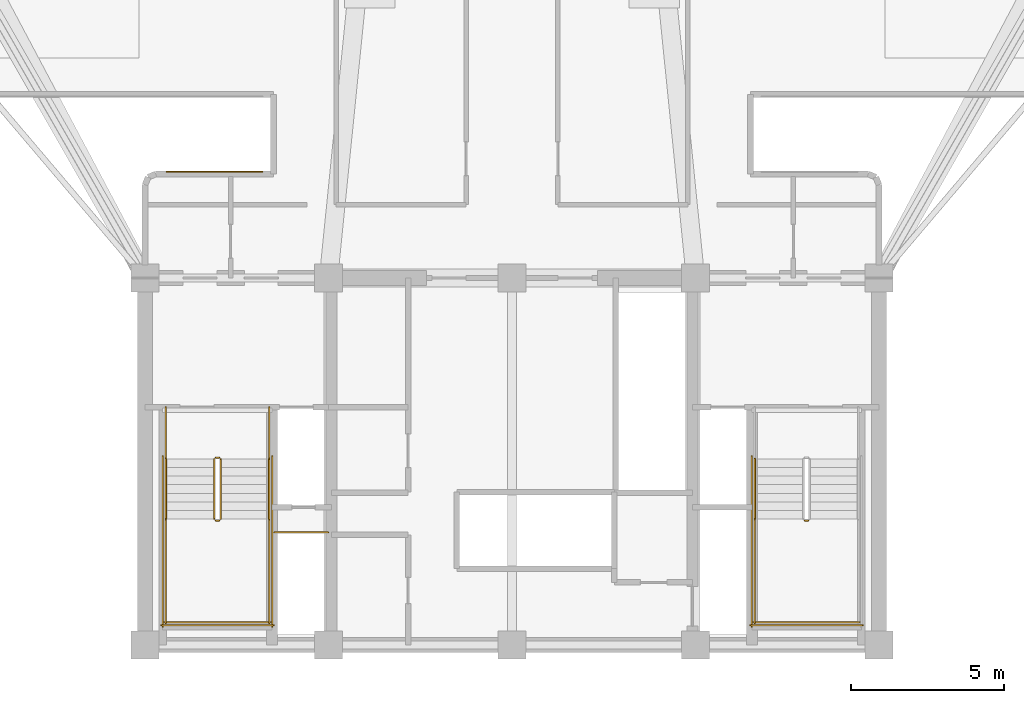
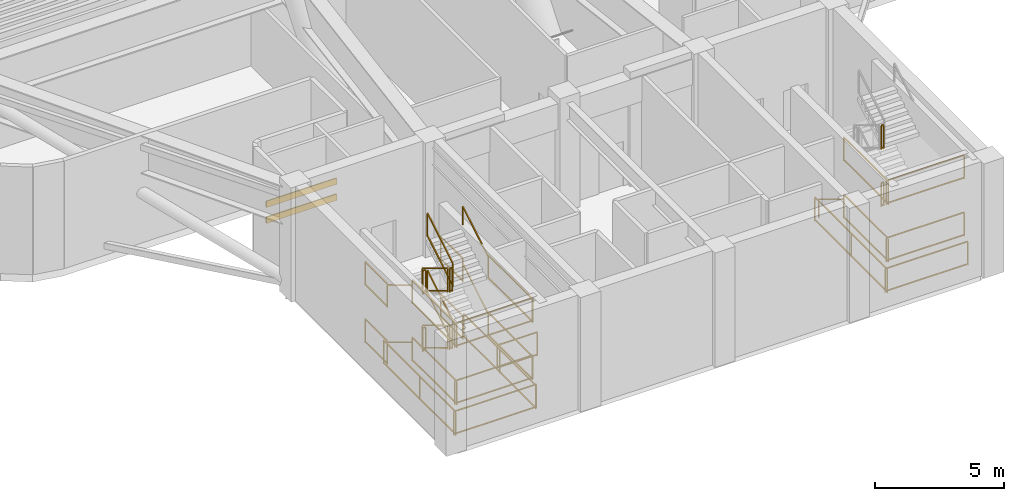
# One storey, part 8 of 10: 35 railings, 2 shading devices.
"""IFC4 building model written with IfcOpenShell, lengths in metres."""

from ifc_helpers import new_model, si_unit, direction, frame, origin, origin_2d, place, context, subcontext, project, spatial, rectangle, extrude, source, transform, mapped, material, layer, layer_set, material_profile, profile_set, type_object, element, save


model = new_model("IFC4")

# Units and contexts
model_context = context("Model", 3, precision=1e-05, world=origin(), true_north=direction((0.0, 1.0)))
body_context = subcontext(model_context, "Body", "Model", "MODEL_VIEW")
ifc_project = project(units=[si_unit("LENGTHUNIT", "METRE"), si_unit("AREAUNIT", "SQUARE_METRE"), si_unit("VOLUMEUNIT", "CUBIC_METRE"), si_unit("PLANEANGLEUNIT", "RADIAN"), si_unit("MASSUNIT", "GRAM", prefix="KILO")], contexts=[model_context])

# Site, building, storey
site_placement = place(None, origin())
site = spatial("IfcSite", under=ifc_project, at=site_placement, CompositionType="ELEMENT")
building_placement = place(site_placement, origin())
building = spatial("IfcBuilding", under=site, at=building_placement, Name="Brelvock Crest Care Tower", CompositionType="ELEMENT")
storey_placement = place(building_placement, frame((0.0, 0.0, 146.52001953125)))
storey = spatial("IfcBuildingStorey", under=building, at=storey_placement, Name="L37", CompositionType="ELEMENT", Elevation=146.52001953125)

# Railings
ifc_material_1 = material(Name="Steel Grade 350", Category="steel")
ifc_layer_1 = layer(ifc_material_1, 0.050048828125, Name="RL-STG1")
ifc_layer_set_1 = layer_set([ifc_layer_1], Name="Steel Grade 350")
railing_type_1 = type_object("IfcRailingType", Name="RL-STG1", PredefinedType="GUARDRAIL", material=ifc_layer_set_1)
railing_1_placement = place(storey_placement, frame((26.260009765625, 12.080078125, 0.168701171875)))
element("IfcRailing", 1, at=railing_1_placement, inside=storey, type_object=railing_type_1, Name="L37 ST-1 stair guard 1", PredefinedType="GUARDRAIL", context=body_context, shape_type="SweptSolid", body=[
    extrude(rectangle(XDim=0.048095703125, YDim=0.048095703125, at=origin_2d()), frame((0.0, -0.001708984375, 1.116943359375), z_axis=(0.0, -0.856446297458, 0.516236127728), x_axis=(1.0, 0.0, 0.0)), (0.0, 0.0, 1.0), 2.284423828125),
    extrude(rectangle(XDim=0.048095703125, YDim=0.048095703125, at=origin_2d()), frame((0.0, -0.001708984375, 0.05615234375), z_axis=(0.0, -0.856446297458, 0.516236127728), x_axis=(1.0, 0.0, 0.0)), (0.0, 0.0, 1.0), 2.284423828125),
    extrude(rectangle(XDim=0.0419921875, YDim=0.0419921875, at=origin_2d()), origin(), (0.0, 0.0, 1.0), 1.08984375),
    extrude(rectangle(XDim=0.0419921875, YDim=0.0419921875, at=origin_2d()), frame((0.0, -1.9599609375, 1.181396484375)), (0.0, 0.0, 1.0), 1.08984375),
])
railing_2_placement = place(storey_placement, frame((26.31005859375, 10.070068359375, 1.35009765625)))
element("IfcRailing", 2, at=railing_2_placement, inside=storey, type_object=railing_type_1, Name="L37 ST-1 stair guard 2", PredefinedType="GUARDRAIL", context=body_context, shape_type="SweptSolid", body=[
    extrude(rectangle(XDim=0.048095703125, YDim=0.048095703125, at=origin_2d()), frame((0.001953125, 0.0, 1.11572265625), z_axis=(1.0, 0.0, 0.0), x_axis=(0.0, 1.0, 0.0)), (0.0, 0.0, 1.0), 0.115966796875),
    extrude(rectangle(XDim=0.048095703125, YDim=0.048095703125, at=origin_2d()), frame((0.001953125, 0.0, 0.054931640625), z_axis=(1.0, 0.0, 0.0), x_axis=(0.0, 1.0, 0.0)), (0.0, 0.0, 1.0), 0.115966796875),
    extrude(rectangle(XDim=0.0419921875, YDim=0.0419921875, at=origin_2d()), origin(), (0.0, 0.0, 1.0), 1.08984375),
    extrude(rectangle(XDim=0.0419921875, YDim=0.0419921875, at=origin_2d()), frame((0.119873046875, 0.0, 0.0)), (0.0, 0.0, 1.0), 1.08984375),
])
for number, where, name in (
    (3, (24.679931640625, 10.1201171875, 1.35009765625), "L37 ST-1 stair guard 3"),
    (4, (28.06005859375, 10.1201171875, 1.35009765625), "L37 ST-1 stair guard 4"),
):
    element("IfcRailing", number, at=place(storey_placement, frame(where)), inside=storey, type_object=railing_type_1, Name=name, PredefinedType="GUARDRAIL", context=body_context, shape_type="SweptSolid", body=[
        extrude(rectangle(XDim=0.048095703125, YDim=0.048095703125, at=origin_2d()), frame((0.0, -0.001953125, 1.11572265625), z_axis=(0.0, -1.0, 0.0), x_axis=(1.0, 0.0, 0.0)), (0.0, 0.0, 1.0), 3.416259765625),
        extrude(rectangle(XDim=0.048095703125, YDim=0.048095703125, at=origin_2d()), frame((0.0, -0.001953125, 0.054931640625), z_axis=(0.0, -1.0, 0.0), x_axis=(1.0, 0.0, 0.0)), (0.0, 0.0, 1.0), 3.416259765625),
        extrude(rectangle(XDim=0.0419921875, YDim=0.0419921875, at=origin_2d()), origin(), (0.0, 0.0, 1.0), 1.08984375),
        extrude(rectangle(XDim=0.0419921875, YDim=0.0419921875, at=origin_2d()), frame((0.0, -3.420166015625, 0.0)), (0.0, 0.0, 1.0), 1.08984375),
    ])
railing_3_placement = place(storey_placement, frame((24.6298828125, 6.75, 1.35009765625)))
element("IfcRailing", 5, at=railing_3_placement, inside=storey, type_object=railing_type_1, Name="L37 ST-1 stair guard 5", PredefinedType="GUARDRAIL", context=body_context, shape_type="SweptSolid", body=[
    extrude(rectangle(XDim=0.048095703125, YDim=0.048095703125, at=origin_2d()), frame((0.001953125, 0.0, 1.11572265625), z_axis=(1.0, 0.0, 0.0), x_axis=(0.0, 1.0, 0.0)), (0.0, 0.0, 1.0), 3.476318359375),
    extrude(rectangle(XDim=0.048095703125, YDim=0.048095703125, at=origin_2d()), frame((0.001953125, 0.0, 0.054931640625), z_axis=(1.0, 0.0, 0.0), x_axis=(0.0, 1.0, 0.0)), (0.0, 0.0, 1.0), 3.476318359375),
    extrude(rectangle(XDim=0.0419921875, YDim=0.0419921875, at=origin_2d()), origin(), (0.0, 0.0, 1.0), 1.08984375),
    extrude(rectangle(XDim=0.0419921875, YDim=0.0419921875, at=origin_2d()), frame((3.480224609375, 0.0, 0.0)), (0.0, 0.0, 1.0), 1.08984375),
])
railing_4_placement = place(storey_placement, frame((26.47998046875, 10.1201171875, 1.518798828125)))
element("IfcRailing", 6, at=railing_4_placement, inside=storey, type_object=railing_type_1, Name="L37 ST-1 stair guard 6", PredefinedType="GUARDRAIL", context=body_context, shape_type="SweptSolid", body=[
    extrude(rectangle(XDim=0.048095703125, YDim=0.048095703125, at=origin_2d()), frame((0.0, 0.001708984375, 1.116943359375), z_axis=(0.0, 0.856493463811, 0.516157869696), x_axis=(-1.0, 0.0, 0.0)), (0.0, 0.0, 1.0), 2.284423828125),
    extrude(rectangle(XDim=0.048095703125, YDim=0.048095703125, at=origin_2d()), frame((0.0, 0.001708984375, 0.05615234375), z_axis=(0.0, 0.856493463811, 0.516157869696), x_axis=(-1.0, 0.0, 0.0)), (0.0, 0.0, 1.0), 2.284423828125),
    extrude(rectangle(XDim=0.0419921875, YDim=0.0419921875, at=origin_2d()), origin(), (0.0, 0.0, 1.0), 1.08984375),
    extrude(rectangle(XDim=0.0419921875, YDim=0.0419921875, at=origin_2d()), frame((0.0, 1.9599609375, 1.18115234375)), (0.0, 0.0, 1.0), 1.08984375),
])
railing_5_placement = place(storey_placement, frame((26.31005859375, 12.1298828125, 2.699951171875)))
element("IfcRailing", 7, at=railing_5_placement, inside=storey, type_object=railing_type_1, Name="L37 ST-1 stair guard 7", PredefinedType="GUARDRAIL", context=body_context, shape_type="SweptSolid", body=[
    extrude(rectangle(XDim=0.048095703125, YDim=0.048095703125, at=origin_2d()), frame((0.001953125, 0.0, 1.11572265625), z_axis=(1.0, 0.0, 0.0), x_axis=(0.0, 1.0, 0.0)), (0.0, 0.0, 1.0), 0.115966796875),
    extrude(rectangle(XDim=0.048095703125, YDim=0.048095703125, at=origin_2d()), frame((0.001953125, 0.0, 0.054931640625), z_axis=(1.0, 0.0, 0.0), x_axis=(0.0, 1.0, 0.0)), (0.0, 0.0, 1.0), 0.115966796875),
    extrude(rectangle(XDim=0.0419921875, YDim=0.0419921875, at=origin_2d()), origin(), (0.0, 0.0, 1.0), 1.08984375),
    extrude(rectangle(XDim=0.0419921875, YDim=0.0419921875, at=origin_2d()), frame((0.119873046875, 0.0, 0.0)), (0.0, 0.0, 1.0), 1.08984375),
])
for number, where, name in (
    (8, (24.679931640625, 13.780029296875, 2.699951171875), "L37 ST-1 stair guard 8"),
    (9, (28.06005859375, 13.780029296875, 2.699951171875), "L37 ST-1 stair guard 9"),
):
    element("IfcRailing", number, at=place(storey_placement, frame(where)), inside=storey, type_object=railing_type_1, Name=name, PredefinedType="GUARDRAIL", context=body_context, shape_type="SweptSolid", body=[
        extrude(rectangle(XDim=0.048095703125, YDim=0.048095703125, at=origin_2d()), frame((0.0, -0.001953125, 1.11572265625), z_axis=(0.0, -1.0, 0.0), x_axis=(1.0, 0.0, 0.0)), (0.0, 0.0, 1.0), 1.696044921875),
        extrude(rectangle(XDim=0.048095703125, YDim=0.048095703125, at=origin_2d()), frame((0.0, -0.001953125, 0.054931640625), z_axis=(0.0, -1.0, 0.0), x_axis=(1.0, 0.0, 0.0)), (0.0, 0.0, 1.0), 1.696044921875),
        extrude(rectangle(XDim=0.0419921875, YDim=0.0419921875, at=origin_2d()), origin(), (0.0, 0.0, 1.0), 1.08984375),
        extrude(rectangle(XDim=0.0419921875, YDim=0.0419921875, at=origin_2d()), frame((0.0, -1.699951171875, 0.0)), (0.0, 0.0, 1.0), 1.08984375),
    ])
railing_6_placement = place(storey_placement, frame((26.260009765625, 12.080078125, 2.86865234375)))
element("IfcRailing", 10, at=railing_6_placement, inside=storey, type_object=railing_type_1, Name="L37 ST-1 stair guard 10", PredefinedType="GUARDRAIL", context=body_context, shape_type="SweptSolid", body=[
    extrude(rectangle(XDim=0.048095703125, YDim=0.048095703125, at=origin_2d()), frame((0.0, -0.001708984375, 1.116943359375), z_axis=(0.0, -0.856446297458, 0.516236127728), x_axis=(1.0, 0.0, 0.0)), (0.0, 0.0, 1.0), 2.284423828125),
    extrude(rectangle(XDim=0.048095703125, YDim=0.048095703125, at=origin_2d()), frame((0.0, -0.001708984375, 0.05615234375), z_axis=(0.0, -0.856446297458, 0.516236127728), x_axis=(1.0, 0.0, 0.0)), (0.0, 0.0, 1.0), 2.284423828125),
    extrude(rectangle(XDim=0.0419921875, YDim=0.0419921875, at=origin_2d()), origin(), (0.0, 0.0, 1.0), 1.08984375),
    extrude(rectangle(XDim=0.0419921875, YDim=0.0419921875, at=origin_2d()), frame((0.0, -1.9599609375, 1.181396484375)), (0.0, 0.0, 1.0), 1.08984375),
])
railing_7_placement = place(storey_placement, frame((26.31005859375, 10.070068359375, 4.050048828125)))
element("IfcRailing", 11, at=railing_7_placement, inside=storey, type_object=railing_type_1, Name="L37 ST-1 stair guard 11", PredefinedType="GUARDRAIL", context=body_context, shape_type="SweptSolid", body=[
    extrude(rectangle(XDim=0.048095703125, YDim=0.048095703125, at=origin_2d()), frame((0.001953125, 0.0, 1.11572265625), z_axis=(1.0, 0.0, 0.0), x_axis=(0.0, 1.0, 0.0)), (0.0, 0.0, 1.0), 0.115966796875),
    extrude(rectangle(XDim=0.048095703125, YDim=0.048095703125, at=origin_2d()), frame((0.001953125, 0.0, 0.054931640625), z_axis=(1.0, 0.0, 0.0), x_axis=(0.0, 1.0, 0.0)), (0.0, 0.0, 1.0), 0.115966796875),
    extrude(rectangle(XDim=0.0419921875, YDim=0.0419921875, at=origin_2d()), origin(), (0.0, 0.0, 1.0), 1.08984375),
    extrude(rectangle(XDim=0.0419921875, YDim=0.0419921875, at=origin_2d()), frame((0.119873046875, 0.0, 0.0)), (0.0, 0.0, 1.0), 1.08984375),
])
for number, where, name in (
    (12, (24.679931640625, 10.1201171875, 4.050048828125), "L37 ST-1 stair guard 12"),
    (13, (28.06005859375, 10.1201171875, 4.050048828125), "L37 ST-1 stair guard 13"),
):
    element("IfcRailing", number, at=place(storey_placement, frame(where)), inside=storey, type_object=railing_type_1, Name=name, PredefinedType="GUARDRAIL", context=body_context, shape_type="SweptSolid", body=[
        extrude(rectangle(XDim=0.048095703125, YDim=0.048095703125, at=origin_2d()), frame((0.0, -0.001953125, 1.11572265625), z_axis=(0.0, -1.0, 0.0), x_axis=(1.0, 0.0, 0.0)), (0.0, 0.0, 1.0), 3.416259765625),
        extrude(rectangle(XDim=0.048095703125, YDim=0.048095703125, at=origin_2d()), frame((0.0, -0.001953125, 0.054931640625), z_axis=(0.0, -1.0, 0.0), x_axis=(1.0, 0.0, 0.0)), (0.0, 0.0, 1.0), 3.416259765625),
        extrude(rectangle(XDim=0.0419921875, YDim=0.0419921875, at=origin_2d()), origin(), (0.0, 0.0, 1.0), 1.08984375),
        extrude(rectangle(XDim=0.0419921875, YDim=0.0419921875, at=origin_2d()), frame((0.0, -3.420166015625, 0.0)), (0.0, 0.0, 1.0), 1.08984375),
    ])
railing_8_placement = place(storey_placement, frame((24.6298828125, 6.75, 4.050048828125)))
element("IfcRailing", 14, at=railing_8_placement, inside=storey, type_object=railing_type_1, Name="L37 ST-1 stair guard 14", PredefinedType="GUARDRAIL", context=body_context, shape_type="SweptSolid", body=[
    extrude(rectangle(XDim=0.048095703125, YDim=0.048095703125, at=origin_2d()), frame((0.001953125, 0.0, 1.11572265625), z_axis=(1.0, 0.0, 0.0), x_axis=(0.0, 1.0, 0.0)), (0.0, 0.0, 1.0), 3.476318359375),
    extrude(rectangle(XDim=0.048095703125, YDim=0.048095703125, at=origin_2d()), frame((0.001953125, 0.0, 0.054931640625), z_axis=(1.0, 0.0, 0.0), x_axis=(0.0, 1.0, 0.0)), (0.0, 0.0, 1.0), 3.476318359375),
    extrude(rectangle(XDim=0.0419921875, YDim=0.0419921875, at=origin_2d()), origin(), (0.0, 0.0, 1.0), 1.08984375),
    extrude(rectangle(XDim=0.0419921875, YDim=0.0419921875, at=origin_2d()), frame((3.480224609375, 0.0, 0.0)), (0.0, 0.0, 1.0), 1.08984375),
])
railing_9_placement = place(storey_placement, frame((26.47998046875, 10.1201171875, 4.21875)))
element("IfcRailing", 15, at=railing_9_placement, inside=storey, type_object=railing_type_1, Name="L37 ST-1 stair guard 15", PredefinedType="GUARDRAIL", context=body_context, shape_type="SweptSolid", body=[
    extrude(rectangle(XDim=0.048095703125, YDim=0.048095703125, at=origin_2d()), frame((0.0, 0.001708984375, 1.116943359375), z_axis=(0.0, 0.856493463811, 0.516157869696), x_axis=(-1.0, 0.0, 0.0)), (0.0, 0.0, 1.0), 2.284423828125),
    extrude(rectangle(XDim=0.048095703125, YDim=0.048095703125, at=origin_2d()), frame((0.0, 0.001708984375, 0.05615234375), z_axis=(0.0, 0.856493463811, 0.516157869696), x_axis=(-1.0, 0.0, 0.0)), (0.0, 0.0, 1.0), 2.284423828125),
    extrude(rectangle(XDim=0.0419921875, YDim=0.0419921875, at=origin_2d()), origin(), (0.0, 0.0, 1.0), 1.08984375),
    extrude(rectangle(XDim=0.0419921875, YDim=0.0419921875, at=origin_2d()), frame((0.0, 1.9599609375, 1.18115234375)), (0.0, 0.0, 1.0), 1.08984375),
])
railing_10_placement = place(storey_placement, frame((26.31005859375, 12.1298828125, 0.0)))
element("IfcRailing", 16, at=railing_10_placement, inside=storey, type_object=railing_type_1, Name="L37 ST-1 stair guard 16", PredefinedType="GUARDRAIL", context=body_context, shape_type="SweptSolid", body=[
    extrude(rectangle(XDim=0.048095703125, YDim=0.048095703125, at=origin_2d()), frame((0.001953125, 0.0, 1.11572265625), z_axis=(1.0, 0.0, 0.0), x_axis=(0.0, 1.0, 0.0)), (0.0, 0.0, 1.0), 0.115966796875),
    extrude(rectangle(XDim=0.048095703125, YDim=0.048095703125, at=origin_2d()), frame((0.001953125, 0.0, 0.054931640625), z_axis=(1.0, 0.0, 0.0), x_axis=(0.0, 1.0, 0.0)), (0.0, 0.0, 1.0), 0.115966796875),
    extrude(rectangle(XDim=0.0419921875, YDim=0.0419921875, at=origin_2d()), origin(), (0.0, 0.0, 1.0), 1.08984375),
    extrude(rectangle(XDim=0.0419921875, YDim=0.0419921875, at=origin_2d()), frame((0.119873046875, 0.0, 0.0)), (0.0, 0.0, 1.0), 1.08984375),
])
for number, where, name in (
    (17, (24.679931640625, 13.780029296875, 0.0), "L37 ST-1 stair guard 17"),
    (18, (28.06005859375, 13.780029296875, 0.0), "L37 ST-1 stair guard 18"),
):
    element("IfcRailing", number, at=place(storey_placement, frame(where)), inside=storey, type_object=railing_type_1, Name=name, PredefinedType="GUARDRAIL", context=body_context, shape_type="SweptSolid", body=[
        extrude(rectangle(XDim=0.048095703125, YDim=0.048095703125, at=origin_2d()), frame((0.0, -0.001953125, 1.11572265625), z_axis=(0.0, -1.0, 0.0), x_axis=(1.0, 0.0, 0.0)), (0.0, 0.0, 1.0), 1.696044921875),
        extrude(rectangle(XDim=0.048095703125, YDim=0.048095703125, at=origin_2d()), frame((0.0, -0.001953125, 0.054931640625), z_axis=(0.0, -1.0, 0.0), x_axis=(1.0, 0.0, 0.0)), (0.0, 0.0, 1.0), 1.696044921875),
        extrude(rectangle(XDim=0.0419921875, YDim=0.0419921875, at=origin_2d()), origin(), (0.0, 0.0, 1.0), 1.08984375),
        extrude(rectangle(XDim=0.0419921875, YDim=0.0419921875, at=origin_2d()), frame((0.0, -1.699951171875, 0.0)), (0.0, 0.0, 1.0), 1.08984375),
    ])
for number, where, name in (
    (19, (24.580078125, 12.179931640625, 0.0), "L37 ST-1 stair guard 19"),
    (20, (28.159912109375, 12.179931640625, 0.0), "L37 ST-1 stair guard 20"),
):
    element("IfcRailing", number, at=place(storey_placement, frame(where)), inside=storey, type_object=railing_type_1, Name=name, PredefinedType="GUARDRAIL", context=body_context, shape_type="SweptSolid", body=[
        extrude(rectangle(XDim=0.048095703125, YDim=0.048095703125, at=origin_2d()), frame((0.0, -0.001953125, 1.11572265625), z_axis=(0.0, -1.0, 0.0), x_axis=(1.0, 0.0, 0.0)), (0.0, 0.0, 1.0), 5.575927734375),
        extrude(rectangle(XDim=0.048095703125, YDim=0.048095703125, at=origin_2d()), frame((0.0, -0.001953125, 0.054931640625), z_axis=(0.0, -1.0, 0.0), x_axis=(1.0, 0.0, 0.0)), (0.0, 0.0, 1.0), 5.575927734375),
        extrude(rectangle(XDim=0.0419921875, YDim=0.0419921875, at=origin_2d()), origin(), (0.0, 0.0, 1.0), 1.08984375),
        extrude(rectangle(XDim=0.0419921875, YDim=0.0419921875, at=origin_2d()), frame((0.0, -2.7900390625, 0.0)), (0.0, 0.0, 1.0), 1.08984375),
        extrude(rectangle(XDim=0.0419921875, YDim=0.0419921875, at=origin_2d()), frame((0.0, -5.579833984375, 0.0)), (0.0, 0.0, 1.0), 1.08984375),
    ])
railing_11_placement = place(storey_placement, frame((24.530029296875, 6.64990234375, 0.0)))
element("IfcRailing", 21, at=railing_11_placement, inside=storey, type_object=railing_type_1, Name="L37 ST-1 stair guard 21", PredefinedType="GUARDRAIL", context=body_context, shape_type="SweptSolid", body=[
    extrude(rectangle(XDim=0.048095703125, YDim=0.048095703125, at=origin_2d()), frame((0.001953125, 0.0, 1.11572265625), z_axis=(1.0, 0.0, 0.0), x_axis=(0.0, 1.0, 0.0)), (0.0, 0.0, 1.0), 3.676025390625),
    extrude(rectangle(XDim=0.048095703125, YDim=0.048095703125, at=origin_2d()), frame((0.001953125, 0.0, 0.054931640625), z_axis=(1.0, 0.0, 0.0), x_axis=(0.0, 1.0, 0.0)), (0.0, 0.0, 1.0), 3.676025390625),
    extrude(rectangle(XDim=0.0419921875, YDim=0.0419921875, at=origin_2d()), origin(), (0.0, 0.0, 1.0), 1.08984375),
    extrude(rectangle(XDim=0.0419921875, YDim=0.0419921875, at=origin_2d()), frame((3.679931640625, 0.0, 0.0)), (0.0, 0.0, 1.0), 1.08984375),
])
railing_12_placement = place(storey_placement, frame((45.570068359375, 10.070068359375, 1.35009765625)))
element("IfcRailing", 22, at=railing_12_placement, inside=storey, type_object=railing_type_1, Name="L37 ST-2 stair guard 2", PredefinedType="GUARDRAIL", context=body_context, shape_type="SweptSolid", body=[
    extrude(rectangle(XDim=0.048095703125, YDim=0.048095703125, at=origin_2d()), frame((0.001953125, 0.0, 1.11572265625), z_axis=(1.0, 0.0, 0.0), x_axis=(0.0, 1.0, 0.0)), (0.0, 0.0, 1.0), 0.115966796875),
    extrude(rectangle(XDim=0.048095703125, YDim=0.048095703125, at=origin_2d()), frame((0.001953125, 0.0, 0.054931640625), z_axis=(1.0, 0.0, 0.0), x_axis=(0.0, 1.0, 0.0)), (0.0, 0.0, 1.0), 0.115966796875),
    extrude(rectangle(XDim=0.0419921875, YDim=0.0419921875, at=origin_2d()), origin(), (0.0, 0.0, 1.0), 1.08984375),
    extrude(rectangle(XDim=0.0419921875, YDim=0.0419921875, at=origin_2d()), frame((0.119873046875, 0.0, 0.0)), (0.0, 0.0, 1.0), 1.08984375),
])
railing_13_placement = place(storey_placement, frame((43.93994140625, 10.1201171875, 1.35009765625)))
element("IfcRailing", 23, at=railing_13_placement, inside=storey, type_object=railing_type_1, Name="L37 ST-2 stair guard 3", PredefinedType="GUARDRAIL", context=body_context, shape_type="SweptSolid", body=[
    extrude(rectangle(XDim=0.048095703125, YDim=0.048095703125, at=origin_2d()), frame((0.0, -0.001953125, 1.11572265625), z_axis=(0.0, -1.0, 0.0), x_axis=(1.0, 0.0, 0.0)), (0.0, 0.0, 1.0), 3.416259765625),
    extrude(rectangle(XDim=0.048095703125, YDim=0.048095703125, at=origin_2d()), frame((0.0, -0.001953125, 0.054931640625), z_axis=(0.0, -1.0, 0.0), x_axis=(1.0, 0.0, 0.0)), (0.0, 0.0, 1.0), 3.416259765625),
    extrude(rectangle(XDim=0.0419921875, YDim=0.0419921875, at=origin_2d()), origin(), (0.0, 0.0, 1.0), 1.08984375),
    extrude(rectangle(XDim=0.0419921875, YDim=0.0419921875, at=origin_2d()), frame((0.0, -3.420166015625, 0.0)), (0.0, 0.0, 1.0), 1.08984375),
])
railing_14_placement = place(storey_placement, frame((43.889892578125, 6.75, 1.35009765625)))
element("IfcRailing", 24, at=railing_14_placement, inside=storey, type_object=railing_type_1, Name="L37 ST-2 stair guard 5", PredefinedType="GUARDRAIL", context=body_context, shape_type="SweptSolid", body=[
    extrude(rectangle(XDim=0.048095703125, YDim=0.048095703125, at=origin_2d()), frame((0.001953125, 0.0, 1.11572265625), z_axis=(1.0, 0.0, 0.0), x_axis=(0.0, 1.0, 0.0)), (0.0, 0.0, 1.0), 3.476318359375),
    extrude(rectangle(XDim=0.048095703125, YDim=0.048095703125, at=origin_2d()), frame((0.001953125, 0.0, 0.054931640625), z_axis=(1.0, 0.0, 0.0), x_axis=(0.0, 1.0, 0.0)), (0.0, 0.0, 1.0), 3.476318359375),
    extrude(rectangle(XDim=0.0419921875, YDim=0.0419921875, at=origin_2d()), origin(), (0.0, 0.0, 1.0), 1.08984375),
    extrude(rectangle(XDim=0.0419921875, YDim=0.0419921875, at=origin_2d()), frame((3.480224609375, 0.0, 0.0)), (0.0, 0.0, 1.0), 1.08984375),
])
railing_15_placement = place(storey_placement, frame((45.570068359375, 10.070068359375, 4.050048828125)))
element("IfcRailing", 25, at=railing_15_placement, inside=storey, type_object=railing_type_1, Name="L37 ST-2 stair guard 11", PredefinedType="GUARDRAIL", context=body_context, shape_type="SweptSolid", body=[
    extrude(rectangle(XDim=0.048095703125, YDim=0.048095703125, at=origin_2d()), frame((0.001953125, 0.0, 1.11572265625), z_axis=(1.0, 0.0, 0.0), x_axis=(0.0, 1.0, 0.0)), (0.0, 0.0, 1.0), 0.115966796875),
    extrude(rectangle(XDim=0.048095703125, YDim=0.048095703125, at=origin_2d()), frame((0.001953125, 0.0, 0.054931640625), z_axis=(1.0, 0.0, 0.0), x_axis=(0.0, 1.0, 0.0)), (0.0, 0.0, 1.0), 0.115966796875),
    extrude(rectangle(XDim=0.0419921875, YDim=0.0419921875, at=origin_2d()), origin(), (0.0, 0.0, 1.0), 1.08984375),
    extrude(rectangle(XDim=0.0419921875, YDim=0.0419921875, at=origin_2d()), frame((0.119873046875, 0.0, 0.0)), (0.0, 0.0, 1.0), 1.08984375),
])
railing_16_placement = place(storey_placement, frame((43.93994140625, 10.1201171875, 4.050048828125)))
element("IfcRailing", 26, at=railing_16_placement, inside=storey, type_object=railing_type_1, Name="L37 ST-2 stair guard 12", PredefinedType="GUARDRAIL", context=body_context, shape_type="SweptSolid", body=[
    extrude(rectangle(XDim=0.048095703125, YDim=0.048095703125, at=origin_2d()), frame((0.0, -0.001953125, 1.11572265625), z_axis=(0.0, -1.0, 0.0), x_axis=(1.0, 0.0, 0.0)), (0.0, 0.0, 1.0), 3.416259765625),
    extrude(rectangle(XDim=0.048095703125, YDim=0.048095703125, at=origin_2d()), frame((0.0, -0.001953125, 0.054931640625), z_axis=(0.0, -1.0, 0.0), x_axis=(1.0, 0.0, 0.0)), (0.0, 0.0, 1.0), 3.416259765625),
    extrude(rectangle(XDim=0.0419921875, YDim=0.0419921875, at=origin_2d()), origin(), (0.0, 0.0, 1.0), 1.08984375),
    extrude(rectangle(XDim=0.0419921875, YDim=0.0419921875, at=origin_2d()), frame((0.0, -3.420166015625, 0.0)), (0.0, 0.0, 1.0), 1.08984375),
])
railing_17_placement = place(storey_placement, frame((43.889892578125, 6.75, 4.050048828125)))
element("IfcRailing", 27, at=railing_17_placement, inside=storey, type_object=railing_type_1, Name="L37 ST-2 stair guard 14", PredefinedType="GUARDRAIL", context=body_context, shape_type="SweptSolid", body=[
    extrude(rectangle(XDim=0.048095703125, YDim=0.048095703125, at=origin_2d()), frame((0.001953125, 0.0, 1.11572265625), z_axis=(1.0, 0.0, 0.0), x_axis=(0.0, 1.0, 0.0)), (0.0, 0.0, 1.0), 3.476318359375),
    extrude(rectangle(XDim=0.048095703125, YDim=0.048095703125, at=origin_2d()), frame((0.001953125, 0.0, 0.054931640625), z_axis=(1.0, 0.0, 0.0), x_axis=(0.0, 1.0, 0.0)), (0.0, 0.0, 1.0), 3.476318359375),
    extrude(rectangle(XDim=0.0419921875, YDim=0.0419921875, at=origin_2d()), origin(), (0.0, 0.0, 1.0), 1.08984375),
    extrude(rectangle(XDim=0.0419921875, YDim=0.0419921875, at=origin_2d()), frame((3.480224609375, 0.0, 0.0)), (0.0, 0.0, 1.0), 1.08984375),
])
railing_18_placement = place(storey_placement, frame((43.840087890625, 12.179931640625, 0.0)))
element("IfcRailing", 28, at=railing_18_placement, inside=storey, type_object=railing_type_1, Name="L37 ST-2 stair guard 19", PredefinedType="GUARDRAIL", context=body_context, shape_type="SweptSolid", body=[
    extrude(rectangle(XDim=0.048095703125, YDim=0.048095703125, at=origin_2d()), frame((0.0, -0.001953125, 1.11572265625), z_axis=(0.0, -1.0, 0.0), x_axis=(1.0, 0.0, 0.0)), (0.0, 0.0, 1.0), 5.575927734375),
    extrude(rectangle(XDim=0.048095703125, YDim=0.048095703125, at=origin_2d()), frame((0.0, -0.001953125, 0.054931640625), z_axis=(0.0, -1.0, 0.0), x_axis=(1.0, 0.0, 0.0)), (0.0, 0.0, 1.0), 5.575927734375),
    extrude(rectangle(XDim=0.0419921875, YDim=0.0419921875, at=origin_2d()), origin(), (0.0, 0.0, 1.0), 1.08984375),
    extrude(rectangle(XDim=0.0419921875, YDim=0.0419921875, at=origin_2d()), frame((0.0, -2.7900390625, 0.0)), (0.0, 0.0, 1.0), 1.08984375),
    extrude(rectangle(XDim=0.0419921875, YDim=0.0419921875, at=origin_2d()), frame((0.0, -5.579833984375, 0.0)), (0.0, 0.0, 1.0), 1.08984375),
])
railing_19_placement = place(storey_placement, frame((43.7900390625, 6.64990234375, 0.0)))
element("IfcRailing", 29, at=railing_19_placement, inside=storey, type_object=railing_type_1, Name="L37 ST-2 stair guard 21", PredefinedType="GUARDRAIL", context=body_context, shape_type="SweptSolid", body=[
    extrude(rectangle(XDim=0.048095703125, YDim=0.048095703125, at=origin_2d()), frame((0.001953125, 0.0, 1.11572265625), z_axis=(1.0, 0.0, 0.0), x_axis=(0.0, 1.0, 0.0)), (0.0, 0.0, 1.0), 3.676025390625),
    extrude(rectangle(XDim=0.048095703125, YDim=0.048095703125, at=origin_2d()), frame((0.001953125, 0.0, 0.054931640625), z_axis=(1.0, 0.0, 0.0), x_axis=(0.0, 1.0, 0.0)), (0.0, 0.0, 1.0), 3.676025390625),
    extrude(rectangle(XDim=0.0419921875, YDim=0.0419921875, at=origin_2d()), origin(), (0.0, 0.0, 1.0), 1.08984375),
    extrude(rectangle(XDim=0.0419921875, YDim=0.0419921875, at=origin_2d()), frame((3.679931640625, 0.0, 0.0)), (0.0, 0.0, 1.0), 1.08984375),
])
railing_20_placement = place(storey_placement, frame((28.219970703125, 9.679931640625, 0.0)))
element("IfcRailing", 30, at=railing_20_placement, inside=storey, type_object=railing_type_1, Name="L37 Fire Riser Threshold Guard", PredefinedType="GUARDRAIL", context=body_context, shape_type="SweptSolid", body=[
    extrude(rectangle(XDim=0.048095703125, YDim=0.048095703125, at=origin_2d()), frame((0.001953125, 0.0, 1.11572265625), z_axis=(1.0, 0.0, 0.0), x_axis=(0.0, 1.0, 0.0)), (0.0, 0.0, 1.0), 1.776123046875),
    extrude(rectangle(XDim=0.048095703125, YDim=0.048095703125, at=origin_2d()), frame((0.001953125, 0.0, 0.054931640625), z_axis=(1.0, 0.0, 0.0), x_axis=(0.0, 1.0, 0.0)), (0.0, 0.0, 1.0), 1.776123046875),
    extrude(rectangle(XDim=0.0419921875, YDim=0.0419921875, at=origin_2d()), origin(), (0.0, 0.0, 1.0), 1.08984375),
    extrude(rectangle(XDim=0.0419921875, YDim=0.0419921875, at=origin_2d()), frame((1.780029296875, 0.0, 0.0)), (0.0, 0.0, 1.0), 1.08984375),
])
ifc_layer_2 = layer(ifc_material_1, 0.048095703125, Name="RL-STH1")
ifc_layer_set_2 = layer_set([ifc_layer_2], Name="Steel Grade 350")
railing_type_2 = type_object("IfcRailingType", Name="RL-STH1", PredefinedType="HANDRAIL", material=ifc_layer_set_2)
railing_21_placement = place(storey_placement, frame((24.679931640625, 12.080078125, 0.168701171875)))
element("IfcRailing", 31, at=railing_21_placement, inside=storey, type_object=railing_type_2, Name="L37 ST-1 stair handrail 1", PredefinedType="HANDRAIL", context=body_context, shape_type="SweptSolid", body=[
    extrude(rectangle(XDim=0.048095703125, YDim=0.048095703125, at=origin_2d()), frame((0.0, -0.001708984375, 0.876953125), z_axis=(0.0, -0.856446297458, 0.516236127728), x_axis=(1.0, 0.0, 0.0)), (0.0, 0.0, 1.0), 2.284423828125),
    extrude(rectangle(XDim=0.0419921875, YDim=0.0419921875, at=origin_2d()), origin(), (0.0, 0.0, 1.0), 0.849853515625),
    extrude(rectangle(XDim=0.0419921875, YDim=0.0419921875, at=origin_2d()), frame((0.0, -1.9599609375, 1.181396484375)), (0.0, 0.0, 1.0), 0.849853515625),
])
railing_22_placement = place(storey_placement, frame((28.06005859375, 10.1201171875, 1.518798828125)))
element("IfcRailing", 32, at=railing_22_placement, inside=storey, type_object=railing_type_2, Name="L37 ST-1 stair handrail 2", PredefinedType="HANDRAIL", context=body_context, shape_type="SweptSolid", body=[
    extrude(rectangle(XDim=0.048095703125, YDim=0.048095703125, at=origin_2d()), frame((0.0, 0.001708984375, 0.876953125), z_axis=(0.0, 0.856493463811, 0.516157869696), x_axis=(-1.0, 0.0, 0.0)), (0.0, 0.0, 1.0), 2.284423828125),
    extrude(rectangle(XDim=0.0419921875, YDim=0.0419921875, at=origin_2d()), origin(), (0.0, 0.0, 1.0), 0.849853515625),
    extrude(rectangle(XDim=0.0419921875, YDim=0.0419921875, at=origin_2d()), frame((0.0, 1.9599609375, 1.18115234375)), (0.0, 0.0, 1.0), 0.849853515625),
])
railing_23_placement = place(storey_placement, frame((24.679931640625, 12.080078125, 2.86865234375)))
element("IfcRailing", 33, at=railing_23_placement, inside=storey, type_object=railing_type_2, Name="L37 ST-1 stair handrail 3", PredefinedType="HANDRAIL", context=body_context, shape_type="SweptSolid", body=[
    extrude(rectangle(XDim=0.048095703125, YDim=0.048095703125, at=origin_2d()), frame((0.0, -0.001708984375, 0.876953125), z_axis=(0.0, -0.856446297458, 0.516236127728), x_axis=(1.0, 0.0, 0.0)), (0.0, 0.0, 1.0), 2.284423828125),
    extrude(rectangle(XDim=0.0419921875, YDim=0.0419921875, at=origin_2d()), origin(), (0.0, 0.0, 1.0), 0.849853515625),
    extrude(rectangle(XDim=0.0419921875, YDim=0.0419921875, at=origin_2d()), frame((0.0, -1.9599609375, 1.181396484375)), (0.0, 0.0, 1.0), 0.849853515625),
])
railing_24_placement = place(storey_placement, frame((28.06005859375, 10.1201171875, 4.21875)))
element("IfcRailing", 34, at=railing_24_placement, inside=storey, type_object=railing_type_2, Name="L37 ST-1 stair handrail 4", PredefinedType="HANDRAIL", context=body_context, shape_type="SweptSolid", body=[
    extrude(rectangle(XDim=0.048095703125, YDim=0.048095703125, at=origin_2d()), frame((0.0, 0.001708984375, 0.876953125), z_axis=(0.0, 0.856493463811, 0.516157869696), x_axis=(-1.0, 0.0, 0.0)), (0.0, 0.0, 1.0), 2.284423828125),
    extrude(rectangle(XDim=0.0419921875, YDim=0.0419921875, at=origin_2d()), origin(), (0.0, 0.0, 1.0), 0.849853515625),
    extrude(rectangle(XDim=0.0419921875, YDim=0.0419921875, at=origin_2d()), frame((0.0, 1.9599609375, 1.18115234375)), (0.0, 0.0, 1.0), 0.849853515625),
])
railing_25_placement = place(storey_placement, frame((43.93994140625, 12.080078125, 0.168701171875)))
element("IfcRailing", 35, at=railing_25_placement, inside=storey, type_object=railing_type_2, Name="L37 ST-2 stair handrail 1", PredefinedType="HANDRAIL", context=body_context, shape_type="SweptSolid", body=[
    extrude(rectangle(XDim=0.048095703125, YDim=0.048095703125, at=origin_2d()), frame((0.0, -0.001708984375, 0.876953125), z_axis=(0.0, -0.856446297458, 0.516236127728), x_axis=(1.0, 0.0, 0.0)), (0.0, 0.0, 1.0), 2.284423828125),
    extrude(rectangle(XDim=0.0419921875, YDim=0.0419921875, at=origin_2d()), origin(), (0.0, 0.0, 1.0), 0.849853515625),
    extrude(rectangle(XDim=0.0419921875, YDim=0.0419921875, at=origin_2d()), frame((0.0, -1.9599609375, 1.181396484375)), (0.0, 0.0, 1.0), 0.849853515625),
])

# Shading devices
ifc_material_2 = material(Name="Aluminium 6063-T6", Category="aluminium")
ifc_material_profile = material_profile(ifc_material_2, rectangle(XDim=0.044921875, YDim=0.300048828125, at=origin_2d()), Name="LOUVRE45x300")
ifc_profile_set = profile_set([ifc_material_profile], Name="Aluminium 6063-T6")
shading_device_type = type_object("IfcShadingDeviceType", Name="SHD-LV1", PredefinedType="JALOUSIE", material=ifc_profile_set)
shared_shape = source(origin(), body_context, "Body", "SweptSolid", [
    extrude(rectangle(XDim=0.044921875, YDim=0.300048828125, at=origin_2d()), origin(), (0.0, 0.0, 1.0), 3.150146484375),
])
for number, where, z_axis, x_axis, name in (
    (36, (24.699951171875, 21.47509765625, 1.10009765625), (1.0, 0.0, 0.0), (0.0, 1.0, 0.0), "L37 Crown Acoustic Louvre 10-1"),
    (37, (24.699951171875, 21.47509765625, 1.85009765625), (1.0, 0.0, 0.0), (0.0, 1.0, 0.0), "L37 Crown Acoustic Louvre 10-2"),
):
    element("IfcShadingDevice", number, at=place(storey_placement, frame(where, z_axis=z_axis, x_axis=x_axis)), inside=storey, type_object=shading_device_type, Name=name, PredefinedType="JALOUSIE", context=body_context, shape_type="MappedRepresentation", body=[
        mapped(shared_shape, transform((0.0, 0.0, 0.0), x_axis=(1.0, 0.0, 0.0), y_axis=(0.0, 1.0, 0.0), z_axis=(0.0, 0.0, 1.0), scale=1.0)),
    ])

save(model, "model.ifc")
